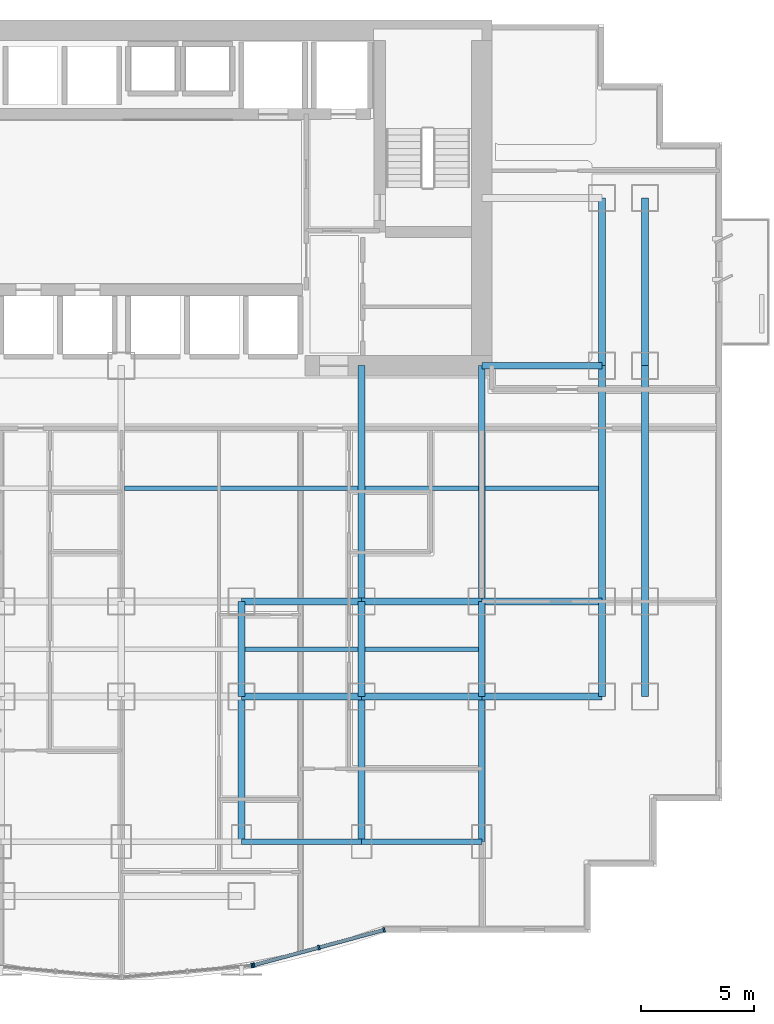
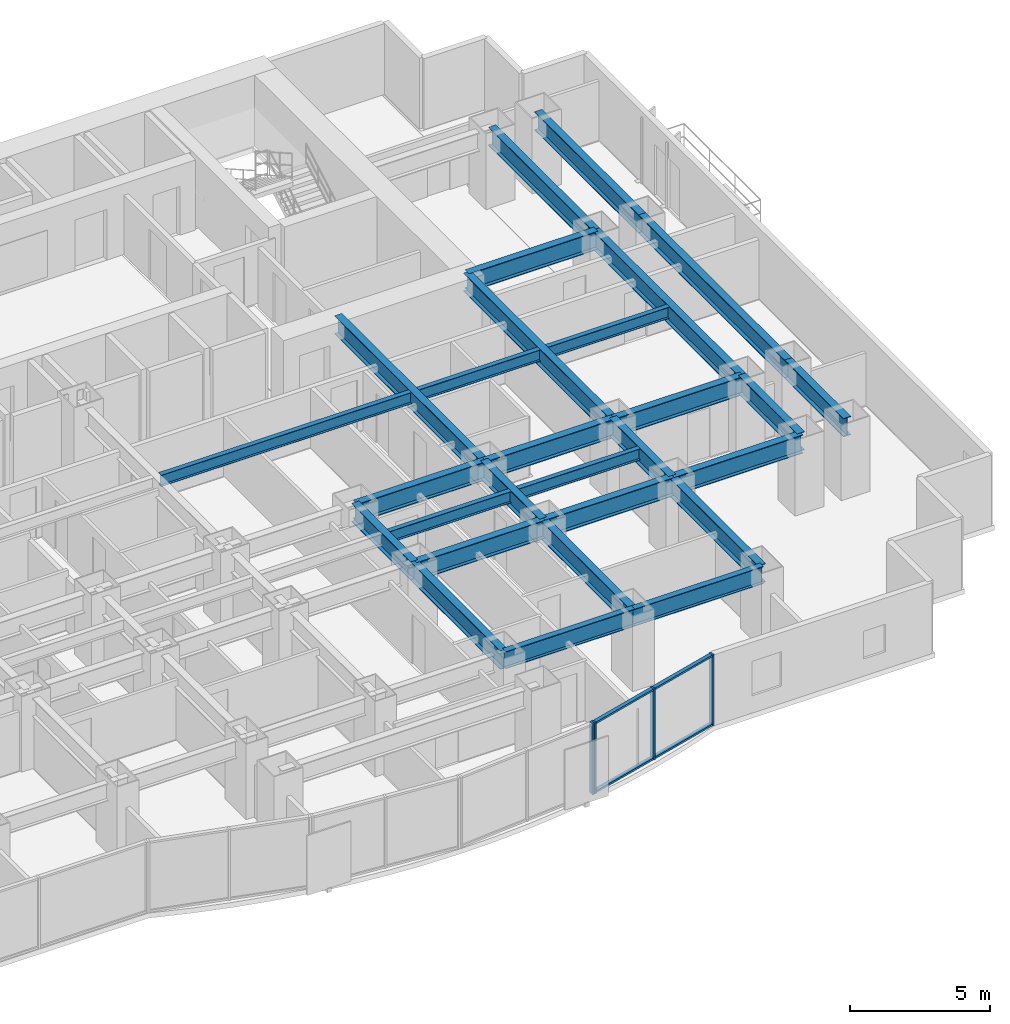
# One storey, part 3 of 10: 28 beams, 8 members, 2 elements without a shape of their own.
"""IFC4 building model written with IfcOpenShell, lengths in metres."""

from ifc_helpers import new_model, si_unit, direction, frame, origin, origin_2d, place, context, subcontext, project, spatial, rectangle, i_section, extrude, source, transform, mapped, material, layer, layer_set, material_profile, profile_set, type_object, element, aggregate, save


model = new_model("IFC4")

# Units and contexts
model_context = context("Model", 3, precision=1e-05, world=origin(), true_north=direction((0.0, 1.0)))
body_context = subcontext(model_context, "Body", "Model", "MODEL_VIEW")
ifc_project = project(units=[si_unit("LENGTHUNIT", "METRE"), si_unit("AREAUNIT", "SQUARE_METRE"), si_unit("VOLUMEUNIT", "CUBIC_METRE"), si_unit("PLANEANGLEUNIT", "RADIAN"), si_unit("MASSUNIT", "GRAM", prefix="KILO")], contexts=[model_context])

# Site, building, storey
site_placement = place(None, origin())
site = spatial("IfcSite", under=ifc_project, at=site_placement, CompositionType="ELEMENT")
building_placement = place(site_placement, origin())
building = spatial("IfcBuilding", under=site, at=building_placement, Name="Qianlan Lanfeng Residences", CompositionType="ELEMENT")
storey_placement = place(building_placement, frame((0.0, 0.0, 40.699951171875)))
storey = spatial("IfcBuildingStorey", under=building, at=storey_placement, Name="L10", CompositionType="ELEMENT", Elevation=40.699951171875)

# Beams
ifc_material_1 = material(Name="Steel SN490B", Category="steel")
ifc_material_profile_1 = material_profile(ifc_material_1, i_section(OverallWidth=0.300048828125, OverallDepth=0.800048828125, WebThickness=0.01611328125, FlangeThickness=0.028076171875, at=origin_2d()), Name="H 800x300x16x28")
ifc_profile_set_1 = profile_set([ifc_material_profile_1], Name="Steel SN490B")
beam_type_1 = type_object("IfcBeamType", Name="G-950", PredefinedType="BEAM", material=ifc_profile_set_1)
beam_1_placement = place(storey_placement, frame((31.800048828125, 10.60009765625, 2.679931640625), z_axis=(1.0, 0.0, 0.0), x_axis=(0.0, 1.0, 0.0)))
element("IfcBeam", 1, at=beam_1_placement, inside=storey, type_object=beam_type_1, Name="Structural beam G-950", PredefinedType="BEAM", context=body_context, shape_type="SweptSolid", body=[
    extrude(i_section(OverallWidth=0.300048828125, OverallDepth=0.800048828125, WebThickness=0.01611328125, FlangeThickness=0.028076171875, at=origin_2d()), origin(), (0.0, 0.0, 1.0), 5.300048828125),
])
beam_2_placement = place(storey_placement, frame((37.10009765625, 10.60009765625, 2.679931640625), z_axis=(1.0, 0.0, 0.0), x_axis=(0.0, 1.0, 0.0)))
element("IfcBeam", 2, at=beam_2_placement, inside=storey, type_object=beam_type_1, Name="Structural beam G-950", PredefinedType="BEAM", context=body_context, shape_type="SweptSolid", body=[
    extrude(i_section(OverallWidth=0.300048828125, OverallDepth=0.800048828125, WebThickness=0.01611328125, FlangeThickness=0.028076171875, at=origin_2d()), origin(), (0.0, 0.0, 1.0), 5.2998046875),
])
for number, where, z_axis, x_axis, name in (
    (3, (42.39990234375, 10.60009765625, 2.679931640625), (1.0, 0.0, 0.0), (0.0, 1.0, 0.0), "Structural beam G-950"),
    (4, (31.800048828125, 14.800048828125, 2.679931640625), (1.0, 0.0, 0.0), (0.0, 1.0, 0.0), "Structural beam G-950"),
):
    element("IfcBeam", number, at=place(storey_placement, frame(where, z_axis=z_axis, x_axis=x_axis)), inside=storey, type_object=beam_type_1, Name=name, PredefinedType="BEAM", context=body_context, shape_type="SweptSolid", body=[
        extrude(i_section(OverallWidth=0.300048828125, OverallDepth=0.800048828125, WebThickness=0.01611328125, FlangeThickness=0.028076171875, at=origin_2d()), origin(), (0.0, 0.0, 1.0), 5.300048828125),
    ])
beam_3_placement = place(storey_placement, frame((37.10009765625, 14.800048828125, 2.679931640625), z_axis=(1.0, 0.0, 0.0), x_axis=(0.0, 1.0, 0.0)))
element("IfcBeam", 5, at=beam_3_placement, inside=storey, type_object=beam_type_1, Name="Structural beam G-950", PredefinedType="BEAM", context=body_context, shape_type="SweptSolid", body=[
    extrude(i_section(OverallWidth=0.300048828125, OverallDepth=0.800048828125, WebThickness=0.01611328125, FlangeThickness=0.028076171875, at=origin_2d()), origin(), (0.0, 0.0, 1.0), 5.2998046875),
])
for number, where, z_axis, x_axis, name in (
    (6, (42.39990234375, 14.800048828125, 2.679931640625), (1.0, 0.0, 0.0), (0.0, 1.0, 0.0), "Structural beam G-950"),
    (7, (42.39990234375, 25.199951171875, 2.679931640625), (1.0, 0.0, 0.0), (0.0, 1.0, 0.0), "Structural beam G-950"),
):
    element("IfcBeam", number, at=place(storey_placement, frame(where, z_axis=z_axis, x_axis=x_axis)), inside=storey, type_object=beam_type_1, Name=name, PredefinedType="BEAM", context=body_context, shape_type="SweptSolid", body=[
        extrude(i_section(OverallWidth=0.300048828125, OverallDepth=0.800048828125, WebThickness=0.01611328125, FlangeThickness=0.028076171875, at=origin_2d()), origin(), (0.0, 0.0, 1.0), 5.300048828125),
    ])
beam_4_placement = place(storey_placement, frame((31.800048828125, 4.199951171875, 2.679931640625), z_axis=(0.0, 1.0, 0.0), x_axis=(-1.0, 0.0, 0.0)))
element("IfcBeam", 8, at=beam_4_placement, inside=storey, type_object=beam_type_1, Name="Structural beam G-950", PredefinedType="BEAM", context=body_context, shape_type="SweptSolid", body=[
    extrude(i_section(OverallWidth=0.300048828125, OverallDepth=0.800048828125, WebThickness=0.01611328125, FlangeThickness=0.028076171875, at=origin_2d()), origin(), (0.0, 0.0, 1.0), 6.400146484375),
])
beam_5_placement = place(storey_placement, frame((31.800048828125, 10.60009765625, 2.679931640625), z_axis=(0.0, 1.0, 0.0), x_axis=(-1.0, 0.0, 0.0)))
element("IfcBeam", 9, at=beam_5_placement, inside=storey, type_object=beam_type_1, Name="Structural beam G-950", PredefinedType="BEAM", context=body_context, shape_type="SweptSolid", body=[
    extrude(i_section(OverallWidth=0.300048828125, OverallDepth=0.800048828125, WebThickness=0.01611328125, FlangeThickness=0.028076171875, at=origin_2d()), origin(), (0.0, 0.0, 1.0), 4.199951171875),
])
beam_6_placement = place(storey_placement, frame((37.10009765625, 4.199951171875, 2.679931640625), z_axis=(0.0, 1.0, 0.0), x_axis=(-1.0, 0.0, 0.0)))
element("IfcBeam", 10, at=beam_6_placement, inside=storey, type_object=beam_type_1, Name="Structural beam G-950", PredefinedType="BEAM", context=body_context, shape_type="SweptSolid", body=[
    extrude(i_section(OverallWidth=0.300048828125, OverallDepth=0.800048828125, WebThickness=0.01611328125, FlangeThickness=0.028076171875, at=origin_2d()), origin(), (0.0, 0.0, 1.0), 6.400146484375),
])
beam_7_placement = place(storey_placement, frame((37.10009765625, 10.60009765625, 2.679931640625), z_axis=(0.0, 1.0, 0.0), x_axis=(-1.0, 0.0, 0.0)))
element("IfcBeam", 11, at=beam_7_placement, inside=storey, type_object=beam_type_1, Name="Structural beam G-950", PredefinedType="BEAM", context=body_context, shape_type="SweptSolid", body=[
    extrude(i_section(OverallWidth=0.300048828125, OverallDepth=0.800048828125, WebThickness=0.01611328125, FlangeThickness=0.028076171875, at=origin_2d()), origin(), (0.0, 0.0, 1.0), 4.199951171875),
])
beam_8_placement = place(storey_placement, frame((37.10009765625, 14.800048828125, 2.679931640625), z_axis=(0.0, 1.0, 0.0), x_axis=(-1.0, 0.0, 0.0)))
element("IfcBeam", 12, at=beam_8_placement, inside=storey, type_object=beam_type_1, Name="Structural beam G-950", PredefinedType="BEAM", context=body_context, shape_type="SweptSolid", body=[
    extrude(i_section(OverallWidth=0.300048828125, OverallDepth=0.800048828125, WebThickness=0.01611328125, FlangeThickness=0.028076171875, at=origin_2d()), origin(), (0.0, 0.0, 1.0), 10.39990234375),
])
beam_9_placement = place(storey_placement, frame((42.39990234375, 4.199951171875, 2.679931640625), z_axis=(0.0, 1.0, 0.0), x_axis=(-1.0, 0.0, 0.0)))
element("IfcBeam", 13, at=beam_9_placement, inside=storey, type_object=beam_type_1, Name="Structural beam G-950", PredefinedType="BEAM", context=body_context, shape_type="SweptSolid", body=[
    extrude(i_section(OverallWidth=0.300048828125, OverallDepth=0.800048828125, WebThickness=0.01611328125, FlangeThickness=0.028076171875, at=origin_2d()), origin(), (0.0, 0.0, 1.0), 6.400146484375),
])
beam_10_placement = place(storey_placement, frame((42.39990234375, 10.60009765625, 2.679931640625), z_axis=(0.0, 1.0, 0.0), x_axis=(-1.0, 0.0, 0.0)))
element("IfcBeam", 14, at=beam_10_placement, inside=storey, type_object=beam_type_1, Name="Structural beam G-950", PredefinedType="BEAM", context=body_context, shape_type="SweptSolid", body=[
    extrude(i_section(OverallWidth=0.300048828125, OverallDepth=0.800048828125, WebThickness=0.01611328125, FlangeThickness=0.028076171875, at=origin_2d()), origin(), (0.0, 0.0, 1.0), 4.199951171875),
])
beam_11_placement = place(storey_placement, frame((42.39990234375, 14.800048828125, 2.679931640625), z_axis=(0.0, 1.0, 0.0), x_axis=(-1.0, 0.0, 0.0)))
element("IfcBeam", 15, at=beam_11_placement, inside=storey, type_object=beam_type_1, Name="Structural beam G-950", PredefinedType="BEAM", context=body_context, shape_type="SweptSolid", body=[
    extrude(i_section(OverallWidth=0.300048828125, OverallDepth=0.800048828125, WebThickness=0.01611328125, FlangeThickness=0.028076171875, at=origin_2d()), origin(), (0.0, 0.0, 1.0), 10.39990234375),
])
beam_12_placement = place(storey_placement, frame((47.699951171875, 10.60009765625, 2.679931640625), z_axis=(0.0, 1.0, 0.0), x_axis=(-1.0, 0.0, 0.0)))
element("IfcBeam", 16, at=beam_12_placement, inside=storey, type_object=beam_type_1, Name="Structural beam G-950", PredefinedType="BEAM", context=body_context, shape_type="SweptSolid", body=[
    extrude(i_section(OverallWidth=0.300048828125, OverallDepth=0.800048828125, WebThickness=0.01611328125, FlangeThickness=0.028076171875, at=origin_2d()), origin(), (0.0, 0.0, 1.0), 4.199951171875),
])
beam_13_placement = place(storey_placement, frame((47.699951171875, 14.800048828125, 2.679931640625), z_axis=(0.0, 1.0, 0.0), x_axis=(-1.0, 0.0, 0.0)))
element("IfcBeam", 17, at=beam_13_placement, inside=storey, type_object=beam_type_1, Name="Structural beam G-950", PredefinedType="BEAM", context=body_context, shape_type="SweptSolid", body=[
    extrude(i_section(OverallWidth=0.300048828125, OverallDepth=0.800048828125, WebThickness=0.01611328125, FlangeThickness=0.028076171875, at=origin_2d()), origin(), (0.0, 0.0, 1.0), 10.39990234375),
])
beam_14_placement = place(storey_placement, frame((47.699951171875, 25.199951171875, 2.679931640625), z_axis=(0.0, 1.0, 0.0), x_axis=(-1.0, 0.0, 0.0)))
element("IfcBeam", 18, at=beam_14_placement, inside=storey, type_object=beam_type_1, Name="Structural beam G-950", PredefinedType="BEAM", context=body_context, shape_type="SweptSolid", body=[
    extrude(i_section(OverallWidth=0.300048828125, OverallDepth=0.800048828125, WebThickness=0.01611328125, FlangeThickness=0.028076171875, at=origin_2d()), origin(), (0.0, 0.0, 1.0), 7.400146484375),
])
beam_15_placement = place(storey_placement, frame((49.60009765625, 10.60009765625, 2.679931640625), z_axis=(0.0, 1.0, 0.0), x_axis=(-1.0, 0.0, 0.0)))
element("IfcBeam", 19, at=beam_15_placement, inside=storey, type_object=beam_type_1, Name="Structural beam G-950", PredefinedType="BEAM", context=body_context, shape_type="SweptSolid", body=[
    extrude(i_section(OverallWidth=0.300048828125, OverallDepth=0.800048828125, WebThickness=0.01611328125, FlangeThickness=0.028076171875, at=origin_2d()), origin(), (0.0, 0.0, 1.0), 4.199951171875),
])
beam_16_placement = place(storey_placement, frame((49.60009765625, 14.800048828125, 2.679931640625), z_axis=(0.0, 1.0, 0.0), x_axis=(-1.0, 0.0, 0.0)))
element("IfcBeam", 20, at=beam_16_placement, inside=storey, type_object=beam_type_1, Name="Structural beam G-950", PredefinedType="BEAM", context=body_context, shape_type="SweptSolid", body=[
    extrude(i_section(OverallWidth=0.300048828125, OverallDepth=0.800048828125, WebThickness=0.01611328125, FlangeThickness=0.028076171875, at=origin_2d()), origin(), (0.0, 0.0, 1.0), 10.39990234375),
])
beam_17_placement = place(storey_placement, frame((49.60009765625, 25.199951171875, 2.679931640625), z_axis=(0.0, 1.0, 0.0), x_axis=(-1.0, 0.0, 0.0)))
element("IfcBeam", 21, at=beam_17_placement, inside=storey, type_object=beam_type_1, Name="Structural beam G-950", PredefinedType="BEAM", context=body_context, shape_type="SweptSolid", body=[
    extrude(i_section(OverallWidth=0.300048828125, OverallDepth=0.800048828125, WebThickness=0.01611328125, FlangeThickness=0.028076171875, at=origin_2d()), origin(), (0.0, 0.0, 1.0), 7.400146484375),
])
ifc_material_profile_2 = material_profile(ifc_material_1, i_section(OverallWidth=0.199951171875, OverallDepth=0.5, WebThickness=0.010009765625, FlangeThickness=0.01611328125, at=origin_2d()), Name="H 500x200x10x16")
ifc_profile_set_2 = profile_set([ifc_material_profile_2], Name="Steel SN490B")
beam_type_2 = type_object("IfcBeamType", Name="J-500", PredefinedType="JOIST", material=ifc_profile_set_2)
for number, where, z_axis, x_axis, name in (
    (22, (31.949951171875, 12.699951171875, 2.830078125), (1.0, 0.0, 0.0), (0.0, 1.0, 0.0), "Structural beam J-500"),
    (23, (37.25, 12.699951171875, 2.830078125), (1.0, 0.0, 0.0), (0.0, 1.0, 0.0), "Structural beam J-500"),
):
    element("IfcBeam", number, at=place(storey_placement, frame(where, z_axis=z_axis, x_axis=x_axis)), inside=storey, type_object=beam_type_2, Name=name, PredefinedType="JOIST", context=body_context, shape_type="SweptSolid", body=[
        extrude(i_section(OverallWidth=0.199951171875, OverallDepth=0.5, WebThickness=0.010009765625, FlangeThickness=0.01611328125, at=origin_2d()), origin(), (0.0, 0.0, 1.0), 5.0),
    ])
beam_18_placement = place(storey_placement, frame((26.64990234375, 19.800048828125, 2.830078125), z_axis=(1.0, 0.0, 0.0), x_axis=(0.0, 1.0, 0.0)))
element("IfcBeam", 24, at=beam_18_placement, inside=storey, type_object=beam_type_2, Name="Structural beam J-500", PredefinedType="JOIST", context=body_context, shape_type="SweptSolid", body=[
    extrude(i_section(OverallWidth=0.199951171875, OverallDepth=0.5, WebThickness=0.010009765625, FlangeThickness=0.01611328125, at=origin_2d()), origin(), (0.0, 0.0, 1.0), 10.300048828125),
])
for number, where, z_axis, x_axis, name in (
    (25, (37.25, 19.800048828125, 2.830078125), (1.0, 0.0, 0.0), (0.0, 1.0, 0.0), "Structural beam J-500"),
    (26, (42.550048828125, 19.800048828125, 2.830078125), (1.0, 0.0, 0.0), (0.0, 1.0, 0.0), "Structural beam J-500"),
):
    element("IfcBeam", number, at=place(storey_placement, frame(where, z_axis=z_axis, x_axis=x_axis)), inside=storey, type_object=beam_type_2, Name=name, PredefinedType="JOIST", context=body_context, shape_type="SweptSolid", body=[
        extrude(i_section(OverallWidth=0.199951171875, OverallDepth=0.5, WebThickness=0.010009765625, FlangeThickness=0.01611328125, at=origin_2d()), origin(), (0.0, 0.0, 1.0), 5.0),
    ])
ifc_material_profile_3 = material_profile(ifc_material_1, i_section(OverallWidth=0.25, OverallDepth=0.75, WebThickness=0.013916015625, FlangeThickness=0.02490234375, at=origin_2d()), Name="H 750x250x14x25")
ifc_profile_set_3 = profile_set([ifc_material_profile_3], Name="Steel SN490B")
beam_type_3 = type_object("IfcBeamType", Name="SG-850", PredefinedType="SPANDREL", material=ifc_profile_set_3)
beam_19_placement = place(storey_placement, frame((31.800048828125, 4.199951171875, 2.705078125), z_axis=(1.0, 0.0, 0.0), x_axis=(0.0, 1.0, 0.0)))
element("IfcBeam", 27, at=beam_19_placement, inside=storey, type_object=beam_type_3, Name="Structural beam SG-850", PredefinedType="SPANDREL", context=body_context, shape_type="SweptSolid", body=[
    extrude(i_section(OverallWidth=0.25, OverallDepth=0.75, WebThickness=0.013916015625, FlangeThickness=0.02490234375, at=origin_2d()), origin(), (0.0, 0.0, 1.0), 5.300048828125),
])
beam_20_placement = place(storey_placement, frame((37.10009765625, 4.199951171875, 2.705078125), z_axis=(1.0, 0.0, 0.0), x_axis=(0.0, 1.0, 0.0)))
element("IfcBeam", 28, at=beam_20_placement, inside=storey, type_object=beam_type_3, Name="Structural beam SG-850", PredefinedType="SPANDREL", context=body_context, shape_type="SweptSolid", body=[
    extrude(i_section(OverallWidth=0.25, OverallDepth=0.75, WebThickness=0.013916015625, FlangeThickness=0.02490234375, at=origin_2d()), origin(), (0.0, 0.0, 1.0), 5.2998046875),
])

# Curtain wall, member
ifc_material_2 = material(Name="Anodised Bronze Aluminium 6063-T6", Category="aluminium")
ifc_layer = layer(ifc_material_2, 0.219970703125)
ifc_layer_set = layer_set([ifc_layer], Name="Anodised Bronze Aluminium 6063-T6")
curtain_wall_type = type_object("IfcCurtainWallType", Name="CW-02", PredefinedType="NOTDEFINED", material=ifc_layer_set)
curtain_wall_1_placement = place(storey_placement, origin())
curtain_wall_1 = element("IfcCurtainWall", 29, at=curtain_wall_1_placement, inside=storey, type_object=curtain_wall_type, Name="L10 Unitised Curtain Wall CWR-L10-04 (CW-02)", PredefinedType="NOTDEFINED")
ifc_material_profile_4 = material_profile(ifc_material_2, rectangle(XDim=0.080078125, YDim=0.2099609375, at=origin_2d()), Name="ALU MULLION 80x210")
ifc_profile_set_4 = profile_set([ifc_material_profile_4], Name="Anodised Bronze Aluminium 6063-T6")
member_type_1 = type_object("IfcMemberType", Name="CWM-220", PredefinedType="MULLION", material=ifc_profile_set_4)
shared_shape_1 = source(origin(), body_context, "Body", "SweptSolid", [
    extrude(rectangle(XDim=0.080078125, YDim=0.2099609375, at=origin_2d()), origin(), (0.0, 0.0, 1.0), 3.080078125),
])
member_1_placement = place(storey_placement, frame((32.26416015625, -1.260498046875, 0.0), z_axis=(0.0, 0.0, 1.0), x_axis=(0.995964677764, 0.089746089862, 0.0)))
member_1 = element("IfcMember", 30, at=member_1_placement, type_object=member_type_1, Name="CWR-L10-04 Mullion 3", PredefinedType="MULLION", context=body_context, shape_type="MappedRepresentation", body=[
    mapped(shared_shape_1, transform((0.0, 0.0, 0.0), scale=1.0)),
])
aggregate(curtain_wall_1, [member_1])

# Curtain wall, members
curtain_wall_2_placement = place(storey_placement, origin())
curtain_wall_2 = element("IfcCurtainWall", 31, at=curtain_wall_2_placement, inside=storey, type_object=curtain_wall_type, Name="L10 Unitised Curtain Wall CWR-L10-05 (CW-02)", PredefinedType="NOTDEFINED")
member_2_placement = place(storey_placement, frame((32.342529296875, -1.24658203125, 0.0), z_axis=(0.0, 0.0, 1.0), x_axis=(0.9652627173, 0.261281240412, 0.0)))
member_2 = element("IfcMember", 32, at=member_2_placement, type_object=member_type_1, Name="CWR-L10-05 Mullion 1", PredefinedType="MULLION", context=body_context, shape_type="MappedRepresentation", body=[
    mapped(shared_shape_1, transform((0.0, 0.0, 0.0), scale=1.0)),
])
member_3_placement = place(storey_placement, frame((35.217041015625, -0.468505859375, 0.0), z_axis=(0.0, 0.0, 1.0), x_axis=(0.9652627173, 0.261281240412, 0.0)))
member_3 = element("IfcMember", 33, at=member_3_placement, type_object=member_type_1, Name="CWR-L10-05 Mullion 2", PredefinedType="MULLION", context=body_context, shape_type="MappedRepresentation", body=[
    mapped(shared_shape_1, transform((0.0, 0.0, 0.0), scale=1.0)),
])
member_4_placement = place(storey_placement, frame((38.09130859375, 0.3095703125, 0.0), z_axis=(0.0, 0.0, 1.0), x_axis=(0.9652627173, 0.261281240412, 0.0)))
member_4 = element("IfcMember", 34, at=member_4_placement, type_object=member_type_1, Name="CWR-L10-05 Mullion 3", PredefinedType="MULLION", context=body_context, shape_type="MappedRepresentation", body=[
    mapped(shared_shape_1, transform((0.0, 0.0, 0.0), scale=1.0)),
])
ifc_material_profile_5 = material_profile(ifc_material_2, rectangle(XDim=0.080078125, YDim=0.159912109375, at=origin_2d()), Name="ALU TRANSOM 80x160")
ifc_profile_set_5 = profile_set([ifc_material_profile_5], Name="Anodised Bronze Aluminium 6063-T6")
member_type_2 = type_object("IfcMemberType", Name="CWT-180", PredefinedType="USERDEFINED", material=ifc_profile_set_5)
shared_shape_2 = source(origin(), body_context, "Body", "SweptSolid", [
    extrude(rectangle(XDim=0.080078125, YDim=0.159912109375, at=origin_2d()), origin(), (0.0, 0.0, 1.0), 2.897705078125),
])
member_5_placement = place(storey_placement, frame((35.255615234375, -0.4580078125, 0.0400390625), z_axis=(0.965267548724, 0.261263390817, 0.0), x_axis=(0.0, 0.0, 1.0)))
member_5 = element("IfcMember", 35, at=member_5_placement, type_object=member_type_2, Name="CWR-L10-05 Transom 2-BOT", ObjectType="TRANSOM", PredefinedType="USERDEFINED", context=body_context, shape_type="MappedRepresentation", body=[
    mapped(shared_shape_2, transform((0.0, 0.0, 0.0), scale=1.0)),
])
member_6_placement = place(storey_placement, frame((35.255615234375, -0.4580078125, 3.0400390625), z_axis=(0.965267548724, 0.261263390817, 0.0), x_axis=(0.0, 0.0, 1.0)))
member_6 = element("IfcMember", 36, at=member_6_placement, type_object=member_type_2, Name="CWR-L10-05 Transom 2-TOP", ObjectType="TRANSOM", PredefinedType="USERDEFINED", context=body_context, shape_type="MappedRepresentation", body=[
    mapped(shared_shape_2, transform((0.0, 0.0, 0.0), scale=1.0)),
])
shared_shape_3 = source(origin(), body_context, "Body", "SweptSolid", [
    extrude(rectangle(XDim=0.080078125, YDim=0.159912109375, at=origin_2d()), origin(), (0.0, 0.0, 1.0), 2.89794921875),
])
member_7_placement = place(storey_placement, frame((32.381103515625, -1.236083984375, 0.0400390625), z_axis=(0.965273298897, 0.261242145215, 0.0), x_axis=(0.0, 0.0, 1.0)))
member_7 = element("IfcMember", 37, at=member_7_placement, type_object=member_type_2, Name="CWR-L10-05 Transom 1-BOT", ObjectType="TRANSOM", PredefinedType="USERDEFINED", context=body_context, shape_type="MappedRepresentation", body=[
    mapped(shared_shape_3, transform((0.0, 0.0, 0.0), scale=1.0)),
])
member_8_placement = place(storey_placement, frame((32.381103515625, -1.236083984375, 3.0400390625), z_axis=(0.965273298897, 0.261242145215, 0.0), x_axis=(0.0, 0.0, 1.0)))
member_8 = element("IfcMember", 38, at=member_8_placement, type_object=member_type_2, Name="CWR-L10-05 Transom 1-TOP", ObjectType="TRANSOM", PredefinedType="USERDEFINED", context=body_context, shape_type="MappedRepresentation", body=[
    mapped(shared_shape_3, transform((0.0, 0.0, 0.0), scale=1.0)),
])
aggregate(curtain_wall_2, [member_2, member_3, member_4, member_7, member_8, member_5, member_6])

save(model, "model.ifc")
